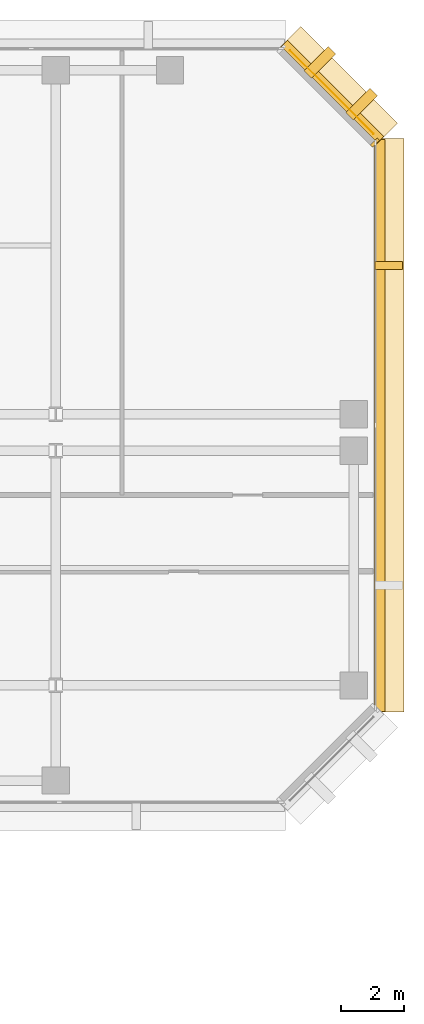
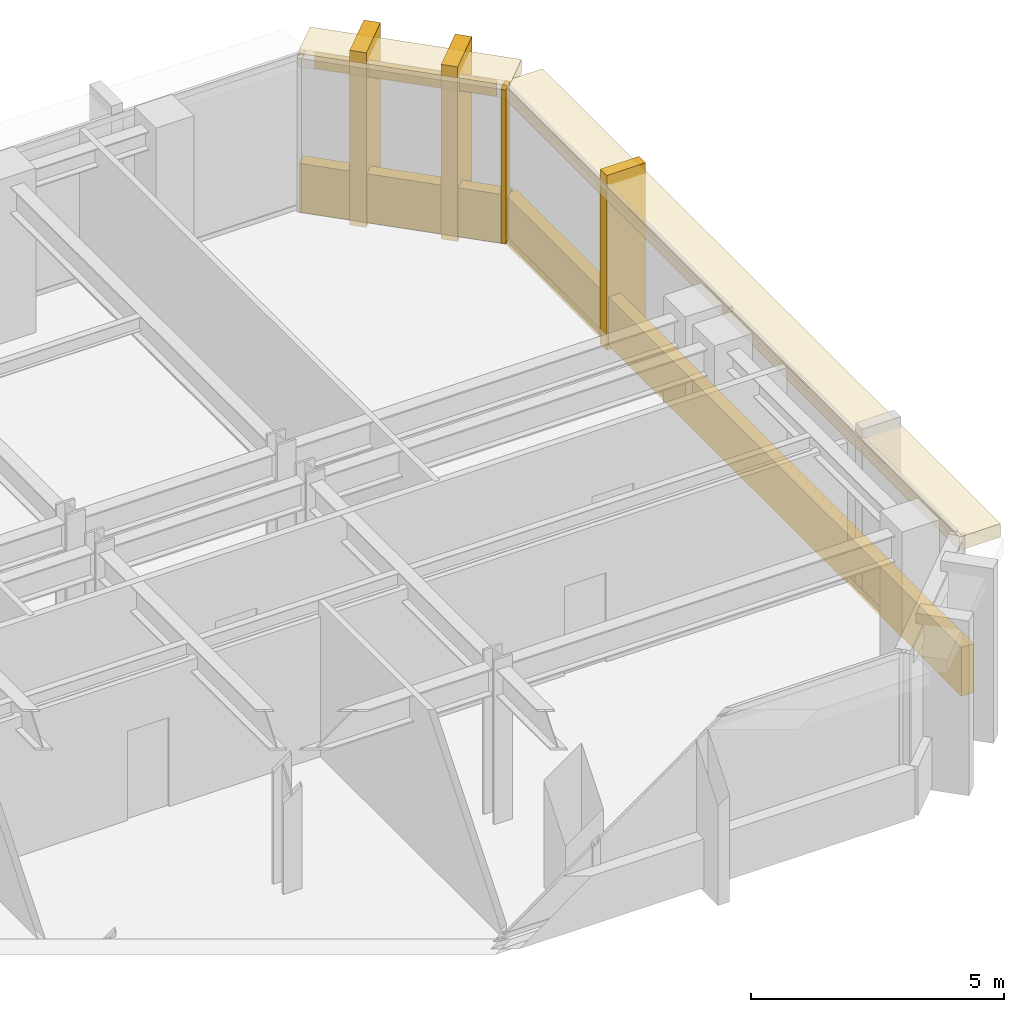
# One storey, part 12 of 12: 9 coverings.
"""IFC4 building model written with IfcOpenShell, lengths in metres."""

from ifc_helpers import new_model, si_unit, direction, frame, origin, origin_2d, place, context, subcontext, project, spatial, rectangle, extrude, material, layer, layer_set, type_object, element, save


model = new_model("IFC4")

# Units and contexts
model_context = context("Model", 3, precision=1e-05, world=origin(), true_north=direction((0.0, 1.0)))
body_context = subcontext(model_context, "Body", "Model", "MODEL_VIEW")
ifc_project = project(units=[si_unit("LENGTHUNIT", "METRE"), si_unit("AREAUNIT", "SQUARE_METRE"), si_unit("VOLUMEUNIT", "CUBIC_METRE"), si_unit("PLANEANGLEUNIT", "RADIAN"), si_unit("MASSUNIT", "GRAM", prefix="KILO")], contexts=[model_context])

# Site, building, storey
site_placement = place(None, origin())
site = spatial("IfcSite", under=ifc_project, at=site_placement, CompositionType="ELEMENT")
building_placement = place(site_placement, origin())
building = spatial("IfcBuilding", under=site, at=building_placement, Name="Kefirva Bronze Tower", CompositionType="ELEMENT")
storey_placement = place(building_placement, frame((0.0, 0.0, 126.389892578125)))
storey = spatial("IfcBuildingStorey", under=building, at=storey_placement, Name="L30", CompositionType="ELEMENT", Elevation=126.389892578125)

# Coverings
ifc_material = material(Name="Bronze anodised aluminium", Category="aluminium")
ifc_layer_1 = layer(ifc_material, 0.02001953125, Name="Bronze anodised aluminium")
ifc_layer_set_1 = layer_set([ifc_layer_1], Name="Bronze anodised aluminium")
covering_type_1 = type_object("IfcCoveringType", Name="Anodised Bronze Spandrel Cladding 20mm", PredefinedType="CLADDING", material=ifc_layer_set_1)
covering_1_placement = place(storey_placement, frame((50.239990234375, 34.0, -0.15966796875), z_axis=(0.0, 0.0, 1.0), x_axis=(0.0, 1.0, 0.0)))
element("IfcCovering", 1, at=covering_1_placement, inside=storey, type_object=covering_type_1, Name="L30 Streamline Horizontal Spandrel Band 6", PredefinedType="CLADDING", context=body_context, shape_type="SweptSolid", body=[
    extrude(rectangle(XDim=18.0400390625, YDim=0.280029296875, at=origin_2d()), origin(), (0.0, 0.0, 1.0), 1.179931640625),
])
covering_2_placement = place(storey_placement, frame((48.70703125, 44.507080078125, 3.2900390625), z_axis=(0.0, 0.0, 1.0), x_axis=(-0.707106781187, 0.707106781187, 0.0)))
element("IfcCovering", 2, at=covering_2_placement, inside=storey, type_object=covering_type_1, Name="L30 Bronze Spandrel Cladding 4", PredefinedType="CLADDING", context=body_context, shape_type="SweptSolid", body=[
    extrude(rectangle(XDim=3.719482421875, YDim=0.02001953125, at=origin_2d()), origin(), (0.0, 0.0, 1.0), 0.39990234375),
])
covering_3_placement = place(storey_placement, frame((50.06201171875, 42.91162109375, 0.000244140625), z_axis=(0.0, 0.0, 1.0), x_axis=(-0.707106781187, 0.707106781187, 0.0)))
element("IfcCovering", 3, at=covering_3_placement, inside=storey, type_object=covering_type_1, Name="L30 Facade Joint Closure Panel 4S", PredefinedType="CLADDING", context=body_context, shape_type="SweptSolid", body=[
    extrude(rectangle(XDim=0.10009765625, YDim=0.320068359375, at=origin_2d()), origin(), (0.0, 0.0, 1.0), 3.7099609375),
])
covering_4_placement = place(storey_placement, frame((48.728271484375, 44.5283203125, -0.15966796875), z_axis=(0.0, 0.0, 1.0), x_axis=(-0.707106781187, 0.707106781187, 0.0)))
element("IfcCovering", 4, at=covering_4_placement, inside=storey, type_object=covering_type_1, Name="L30 Streamline Horizontal Spandrel Band 7", PredefinedType="CLADDING", context=body_context, shape_type="SweptSolid", body=[
    extrude(rectangle(XDim=4.28271484375, YDim=0.280029296875, at=origin_2d()), origin(), (0.0, 0.0, 1.0), 1.179931640625),
])
ifc_layer_2 = layer(ifc_material, 0.179931640625, Name="Bronze anodised aluminium")
ifc_layer_set_2 = layer_set([ifc_layer_2], Name="Bronze anodised aluminium")
covering_type_2 = type_object("IfcCoveringType", Name="Streamline Bronze Sunshade Eyebrow Cladding 180mm", PredefinedType="CLADDING", material=ifc_layer_set_2)
covering_5_placement = place(storey_placement, frame((50.510009765625, 34.0, 3.39013671875), z_axis=(0.0, 0.0, 1.0), x_axis=(0.0, 1.0, 0.0)))
element("IfcCovering", 5, at=covering_5_placement, inside=storey, type_object=covering_type_2, Name="L30 Streamline Bronze Sunshade Eyebrow 6", PredefinedType="CLADDING", context=body_context, shape_type="SweptSolid", body=[
    extrude(rectangle(XDim=18.080078125, YDim=0.93994140625, at=origin_2d()), origin(), (0.0, 0.0, 1.0), 0.320068359375),
])
covering_6_placement = place(storey_placement, frame((48.919189453125, 44.71923828125, 3.39013671875), z_axis=(0.0, 0.0, 1.0), x_axis=(-0.707106781187, 0.707106781187, 0.0)))
element("IfcCovering", 6, at=covering_6_placement, inside=storey, type_object=covering_type_2, Name="L30 Streamline Bronze Sunshade Eyebrow 7", PredefinedType="CLADDING", context=body_context, shape_type="SweptSolid", body=[
    extrude(rectangle(XDim=4.322509765625, YDim=0.93994140625, at=origin_2d()), origin(), (0.0, 0.0, 1.0), 0.320068359375),
])
ifc_layer_3 = layer(ifc_material, 0.260009765625, Name="Bronze anodised aluminium")
ifc_layer_set_3 = layer_set([ifc_layer_3], Name="Bronze anodised aluminium")
covering_type_3 = type_object("IfcCoveringType", Name="Unbroken Bronze Buttress Fin Cladding 260mm", PredefinedType="CLADDING", material=ifc_layer_set_3)
covering_7_placement = place(storey_placement, frame((50.5, 39.0400390625, -0.249755859375), z_axis=(0.0, 0.0, 1.0), x_axis=(0.0, 1.0, 0.0)))
element("IfcCovering", 7, at=covering_7_placement, inside=storey, type_object=covering_type_3, Name="L30 Unbroken Vertical Bronze Rib Fin 14", PredefinedType="CLADDING", context=body_context, shape_type="SweptSolid", body=[
    extrude(rectangle(XDim=0.260009765625, YDim=0.8798828125, at=origin_2d()), origin(), (0.0, 0.0, 1.0), 4.2099609375),
])
for number, where, z_axis, x_axis, name in (
    (8, (49.642822265625, 44.122802734375, -0.249755859375), (0.0, 0.0, 1.0), (-0.707106781187, 0.707106781187, 0.0), "L30 Chamfered Corner Buttress Fin Cladding 15"),
    (9, (48.32275390625, 45.44287109375, -0.249755859375), (0.0, 0.0, 1.0), (-0.707106781187, 0.707106781187, 0.0), "L30 Chamfered Corner Buttress Fin Cladding 16"),
):
    element("IfcCovering", number, at=place(storey_placement, frame(where, z_axis=z_axis, x_axis=x_axis)), inside=storey, type_object=covering_type_3, Name=name, PredefinedType="CLADDING", context=body_context, shape_type="SweptSolid", body=[
        extrude(rectangle(XDim=0.340087890625, YDim=1.080078125, at=origin_2d()), origin(), (0.0, 0.0, 1.0), 4.2099609375),
    ])

save(model, "model.ifc")
